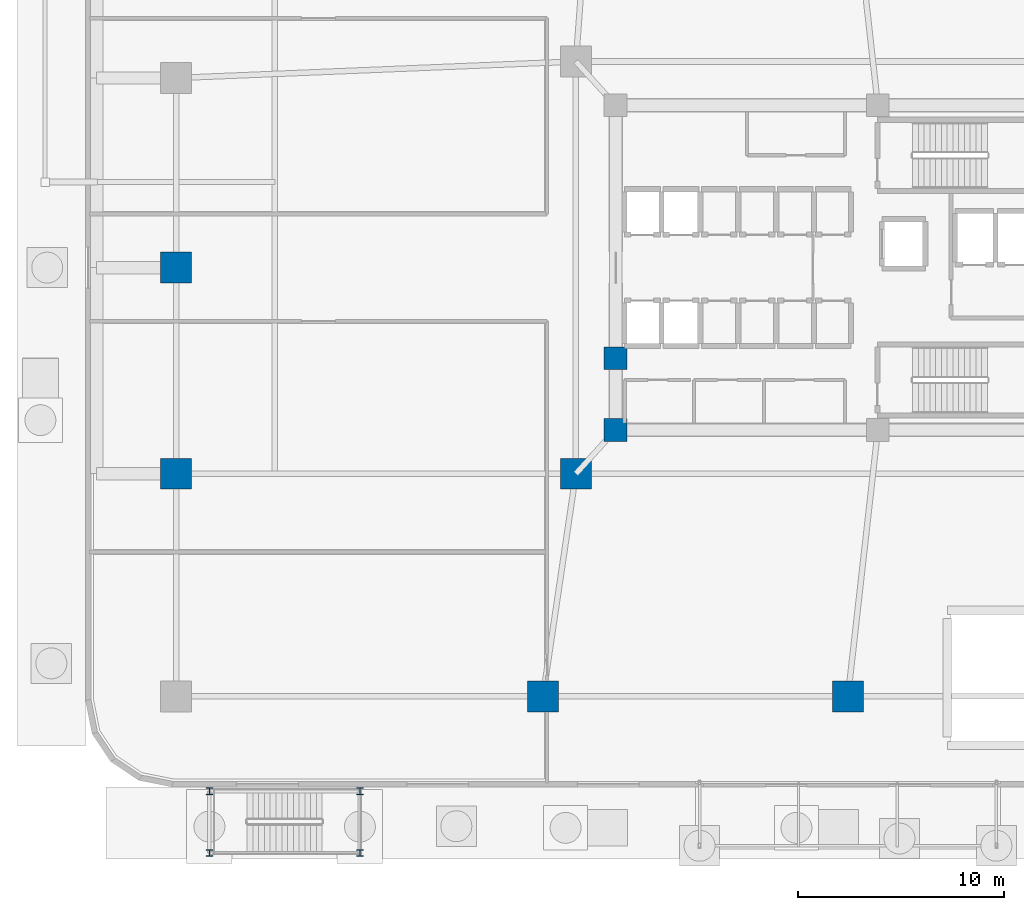
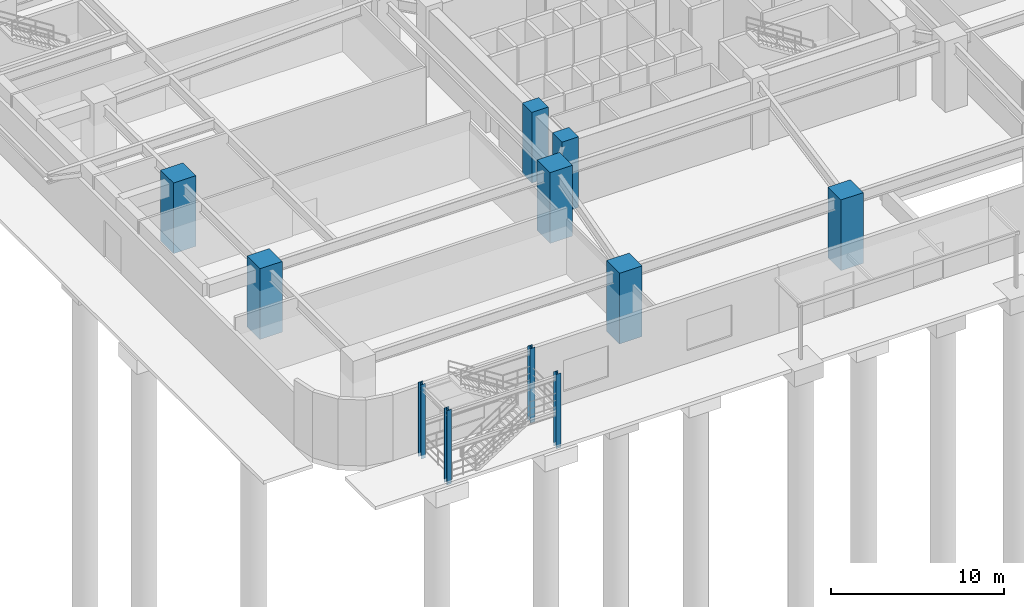
# One storey, part 2 of 18: 11 columns.
"""IFC4 building model written with IfcOpenShell, lengths in metres."""

from ifc_helpers import new_model, si_unit, direction, frame, origin, origin_2d, place, context, subcontext, project, spatial, rectangle, i_section, extrude, material, material_profile, profile_set, type_object, element, save


model = new_model("IFC4")

# Units and contexts
model_context = context("Model", 3, precision=1e-05, world=origin(), true_north=direction((0.0, 1.0)))
body_context = subcontext(model_context, "Body", "Model", "MODEL_VIEW")
ifc_project = project(units=[si_unit("LENGTHUNIT", "METRE"), si_unit("AREAUNIT", "SQUARE_METRE"), si_unit("VOLUMEUNIT", "CUBIC_METRE"), si_unit("PLANEANGLEUNIT", "RADIAN"), si_unit("MASSUNIT", "GRAM", prefix="KILO")], contexts=[model_context])

# Site, building, storey
site_placement = place(None, origin())
site = spatial("IfcSite", under=ifc_project, at=site_placement, CompositionType="ELEMENT")
building_placement = place(site_placement, origin())
building = spatial("IfcBuilding", under=site, at=building_placement, Name="Zulverin Broadcast Headquarters", CompositionType="ELEMENT")
storey_placement = place(building_placement, origin())
storey = spatial("IfcBuildingStorey", under=building, at=storey_placement, Name="L00", CompositionType="ELEMENT", Elevation=0.0)

# Columns
ifc_material_1 = material(Name="Concrete C60/75", Category="concrete")
ifc_material_profile_1 = material_profile(ifc_material_1, rectangle(XDim=1.5, YDim=1.5, at=origin_2d()), Name="Concrete C60/75", Category="concrete")
ifc_profile_set_1 = profile_set([ifc_material_profile_1], Name="Concrete C60/75")
column_type_1 = type_object("IfcColumnType", Name="COL-RC-1500", PredefinedType="COLUMN", material=ifc_profile_set_1)
for number, where, z_axis, x_axis, name in (
    (1, (22.199951171875, 4.39990234375, 0.0), (0.0, 0.0, 1.0), (1.0, 0.0, 0.0), "L00 Podium Mega Column P02"),
    (2, (37.0, 4.39990234375, 0.0), (0.0, 0.0, 1.0), (1.0, 0.0, 0.0), "L00 Podium Mega Column P03"),
    (3, (4.39990234375, 15.199951171875, 0.0), (0.0, 0.0, 1.0), (1.0, 0.0, 0.0), "L00 Podium Mega Column P11"),
    (4, (4.39990234375, 25.199951171875, 0.0), (0.0, 0.0, 1.0), (1.0, 0.0, 0.0), "L00 Podium Mega Column P12"),
    (5, (23.800048828125, 15.199951171875, 0.0), (0.0, 0.0, 1.0), (1.0, 0.0, 0.0), "L00 Podium Mega Column M01"),
):
    element("IfcColumn", number, at=place(storey_placement, frame(where, z_axis=z_axis, x_axis=x_axis)), inside=storey, type_object=column_type_1, Name=name, PredefinedType="COLUMN", context=body_context, shape_type="SweptSolid", body=[
        extrude(rectangle(XDim=1.5, YDim=1.5, at=origin_2d()), origin(), (0.0, 0.0, 1.0), 5.0),
    ])
ifc_material_2 = material(Name="Structural steel S355JR", Category="steel")
ifc_material_profile_2 = material_profile(ifc_material_2, i_section(OverallWidth=0.311279296875, OverallDepth=0.3271484375, WebThickness=0.015869140625, FlangeThickness=0.02490234375, at=origin_2d()), Name="Structural steel S355JR", Category="steel")
ifc_profile_set_2 = profile_set([ifc_material_profile_2], Name="Structural steel S355JR")
column_type_2 = type_object("IfcColumnType", Name="COL-UC-158", PredefinedType="COLUMN", material=ifc_profile_set_2)
for number, where, z_axis, x_axis, name in (
    (6, (6.02001953125, -3.199951171875, -0.25), (0.0, 0.0, 1.0), (1.0, 0.0, 0.0), "L00 Exterior Garden Stair Support Column ST5-P1"),
    (7, (13.320068359375, -3.199951171875, -0.25), (0.0, 0.0, 1.0), (1.0, 0.0, 0.0), "L00 Exterior Garden Stair Support Column ST5-P2"),
    (8, (6.02001953125, -0.199951171875, -0.25), (0.0, 0.0, 1.0), (1.0, 0.0, 0.0), "L00 Exterior Garden Stair Support Column ST5-P3"),
    (9, (13.320068359375, -0.199951171875, -0.25), (0.0, 0.0, 1.0), (1.0, 0.0, 0.0), "L00 Exterior Garden Stair Support Column ST5-P4"),
):
    element("IfcColumn", number, at=place(storey_placement, frame(where, z_axis=z_axis, x_axis=x_axis)), inside=storey, type_object=column_type_2, Name=name, PredefinedType="COLUMN", context=body_context, shape_type="SweptSolid", body=[
        extrude(i_section(OverallWidth=0.311279296875, OverallDepth=0.3271484375, WebThickness=0.015869140625, FlangeThickness=0.02490234375, at=origin_2d()), origin(), (0.0, 0.0, 1.0), 5.25),
    ])
ifc_material_profile_3 = material_profile(ifc_material_1, rectangle(XDim=1.10009765625, YDim=1.10009765625, at=origin_2d()), Name="Concrete C60/75", Category="concrete")
ifc_profile_set_3 = profile_set([ifc_material_profile_3], Name="Concrete C60/75")
column_type_3 = type_object("IfcColumnType", Name="PIL-RC-1100", PredefinedType="PILASTER", material=ifc_profile_set_3)
for number, where, z_axis, x_axis, name in (
    (10, (25.72509765625, 17.324951171875, 0.0), (0.0, 0.0, 1.0), (1.0, 0.0, 0.0), "L00 Core Pilaster K01"),
    (11, (25.72509765625, 20.800048828125, 0.0), (0.0, 0.0, 1.0), (1.0, 0.0, 0.0), "L00 Core Pilaster K08"),
):
    element("IfcColumn", number, at=place(storey_placement, frame(where, z_axis=z_axis, x_axis=x_axis)), inside=storey, type_object=column_type_3, Name=name, PredefinedType="PILASTER", context=body_context, shape_type="SweptSolid", body=[
        extrude(rectangle(XDim=1.10009765625, YDim=1.10009765625, at=origin_2d()), origin(), (0.0, 0.0, 1.0), 5.0),
    ])

save(model, "model.ifc")
